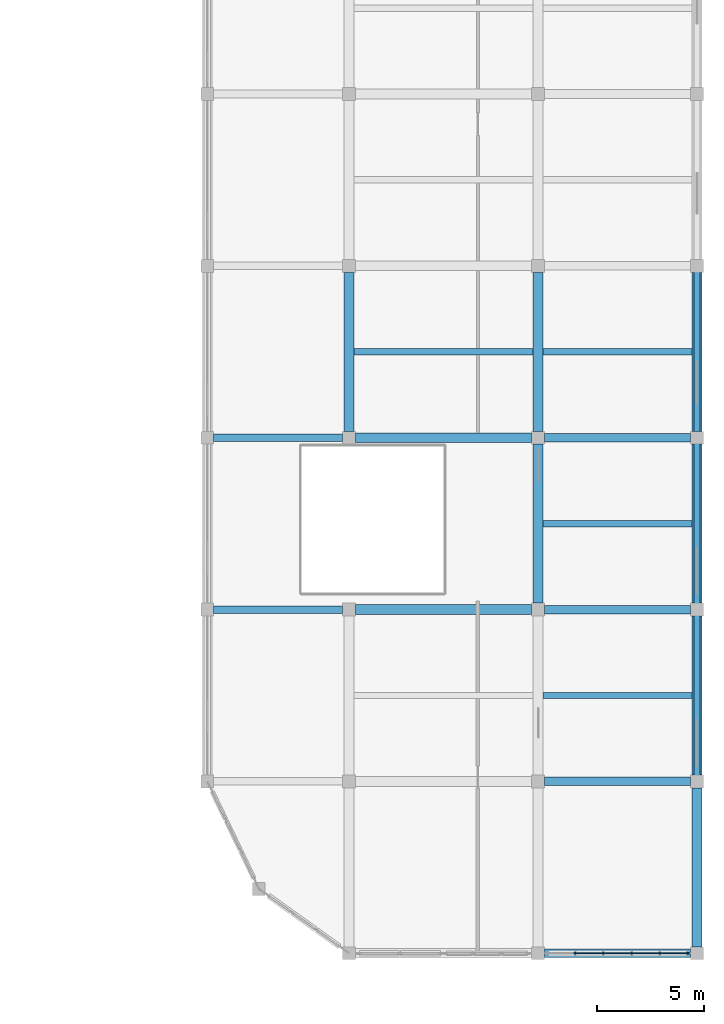
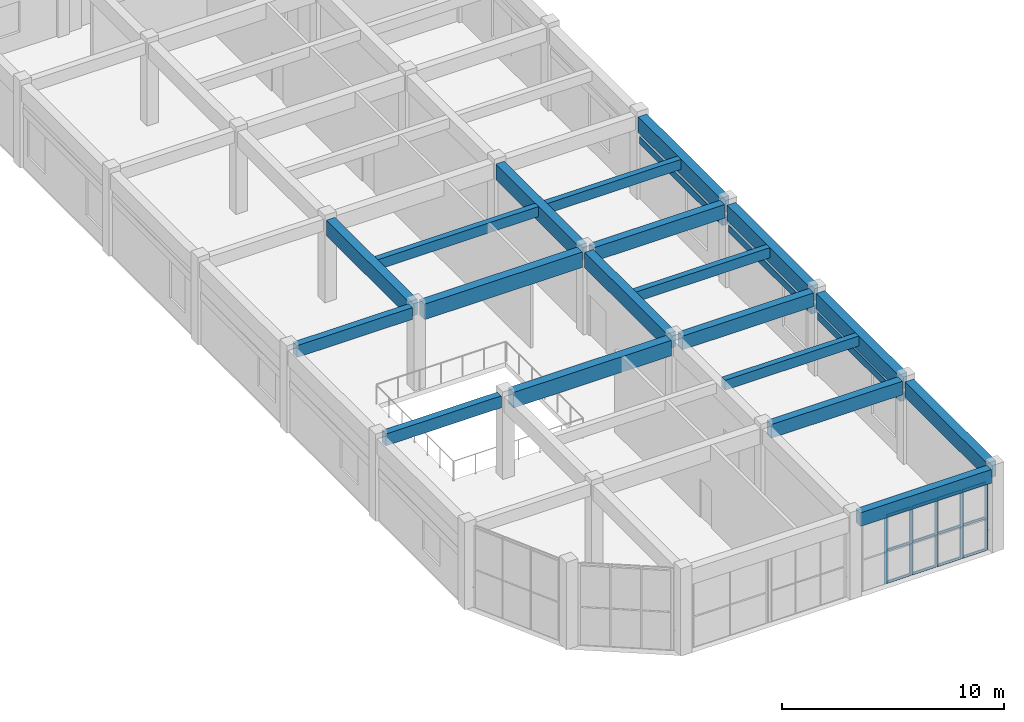
# One storey, part 22 of 64: 22 beams, 17 members, 1 element without a shape of its own.
"""IFC4 building model written with IfcOpenShell, lengths in metres."""

from ifc_helpers import new_model, si_unit, direction, frame, origin, origin_2d, place, context, subcontext, project, spatial, rectangle, extrude, material, layer, layer_set, material_profile, profile_set, type_object, element, aggregate, save


model = new_model("IFC4")

# Units and contexts
model_context = context("Model", 3, precision=1e-05, world=origin(), true_north=direction((0.0, 1.0)))
body_context = subcontext(model_context, "Body", "Model", "MODEL_VIEW")
ifc_project = project(units=[si_unit("LENGTHUNIT", "METRE"), si_unit("AREAUNIT", "SQUARE_METRE"), si_unit("VOLUMEUNIT", "CUBIC_METRE"), si_unit("PLANEANGLEUNIT", "RADIAN"), si_unit("MASSUNIT", "GRAM", prefix="KILO")], contexts=[model_context])

# Site, building, storey
site_placement = place(None, origin())
site = spatial("IfcSite", under=ifc_project, at=site_placement, CompositionType="ELEMENT")
building_placement = place(site_placement, origin())
building = spatial("IfcBuilding", under=site, at=building_placement, Name="Cinchona Park Media Centre", CompositionType="ELEMENT")
storey_placement = place(building_placement, frame((0.0, 0.0, 5.39990234375)))
storey = spatial("IfcBuildingStorey", under=building, at=storey_placement, Name="L01", CompositionType="ELEMENT", Elevation=5.39990234375)

# Beams
ifc_material_1 = material(Name="Concrete C35/45", Category="concrete")
ifc_material_profile_1 = material_profile(ifc_material_1, rectangle(XDim=0.39990234375, YDim=0.75, at=origin_2d()), Name="RB 400X750")
ifc_profile_set_1 = profile_set([ifc_material_profile_1], Name="Concrete C35/45")
beam_type_1 = type_object("IfcBeamType", Name="BEAM-B01-RB400X750", PredefinedType="BEAM", material=ifc_profile_set_1)
for number, where, z_axis, x_axis, name in (
    (1, (164.89990234375, 7.60009765625, 4.14501953125), (1.0, 0.0, 0.0), (0.0, 1.0, 0.0), "Beam B01 L01"),
    (2, (164.89990234375, 15.60009765625, 4.14501953125), (1.0, 0.0, 0.0), (0.0, 1.0, 0.0), "Beam B01 L01"),
    (3, (164.89990234375, 23.60009765625, 4.14501953125), (1.0, 0.0, 0.0), (0.0, 1.0, 0.0), "Beam B01 L01"),
    (4, (164.89990234375, 31.60009765625, 4.14501953125), (1.0, 0.0, 0.0), (0.0, 1.0, 0.0), "Beam B01 L01"),
):
    element("IfcBeam", number, at=place(storey_placement, frame(where, z_axis=z_axis, x_axis=x_axis)), inside=storey, type_object=beam_type_1, Name=name, PredefinedType="BEAM", context=body_context, shape_type="SweptSolid", body=[
        extrude(rectangle(XDim=0.39990234375, YDim=0.75, at=origin_2d()), origin(), (0.0, 0.0, 1.0), 6.800048828125),
    ])
ifc_material_2 = material(Name="Concrete C35/45", Category="concrete")
ifc_material_profile_2 = material_profile(ifc_material_2, rectangle(XDim=0.449951171875, YDim=0.85009765625, at=origin_2d()), Name="RB 450X850")
ifc_profile_set_2 = profile_set([ifc_material_profile_2], Name="Concrete C35/45")
beam_type_2 = type_object("IfcBeamType", Name="BEAM-B02-RB450X850", PredefinedType="BEAM", material=ifc_profile_set_2)
for number, where, z_axis, x_axis, name in (
    (5, (156.10009765625, 23.60009765625, 4.09521484375), (1.0, 0.0, 0.0), (0.0, 1.0, 0.0), "Beam B02 L01"),
    (6, (156.10009765625, 31.60009765625, 4.09521484375), (1.0, 0.0, 0.0), (0.0, 1.0, 0.0), "Beam B02 L01"),
):
    element("IfcBeam", number, at=place(storey_placement, frame(where, z_axis=z_axis, x_axis=x_axis)), inside=storey, type_object=beam_type_2, Name=name, PredefinedType="BEAM", context=body_context, shape_type="SweptSolid", body=[
        extrude(rectangle(XDim=0.449951171875, YDim=0.85009765625, at=origin_2d()), origin(), (0.0, 0.0, 1.0), 8.199951171875),
    ])
for number, where, z_axis, x_axis, name in (
    (7, (155.800048828125, 31.89990234375, 4.09521484375), (0.0, 1.0, 0.0), (-1.0, 0.0, 0.0), "Girder B02 L01"),
    (8, (164.60009765625, 23.89990234375, 4.09521484375), (0.0, 1.0, 0.0), (-1.0, 0.0, 0.0), "Girder B02 L01"),
    (9, (164.60009765625, 31.89990234375, 4.09521484375), (0.0, 1.0, 0.0), (-1.0, 0.0, 0.0), "Girder B02 L01"),
    (10, (172.0, 7.89990234375, 4.09521484375), (0.0, 1.0, 0.0), (-1.0, 0.0, 0.0), "Girder B02 L01"),
    (11, (172.0, 15.89990234375, 4.09521484375), (0.0, 1.0, 0.0), (-1.0, 0.0, 0.0), "Girder B02 L01"),
    (12, (172.0, 23.89990234375, 4.09521484375), (0.0, 1.0, 0.0), (-1.0, 0.0, 0.0), "Girder B02 L01"),
    (13, (172.0, 31.89990234375, 4.09521484375), (0.0, 1.0, 0.0), (-1.0, 0.0, 0.0), "Girder B02 L01"),
):
    element("IfcBeam", number, at=place(storey_placement, frame(where, z_axis=z_axis, x_axis=x_axis)), inside=storey, type_object=beam_type_2, Name=name, PredefinedType="BEAM", context=body_context, shape_type="SweptSolid", body=[
        extrude(rectangle(XDim=0.449951171875, YDim=0.85009765625, at=origin_2d()), origin(), (0.0, 0.0, 1.0), 7.400146484375),
    ])
ifc_material_3 = material(Name="Concrete C35/45", Category="concrete")
ifc_material_profile_3 = material_profile(ifc_material_3, rectangle(XDim=0.35009765625, YDim=0.64990234375, at=origin_2d()), Name="RB 350X650")
ifc_profile_set_3 = profile_set([ifc_material_profile_3], Name="Concrete C35/45")
beam_type_3 = type_object("IfcBeamType", Name="BEAM-B04-RB350X650", PredefinedType="BEAM", material=ifc_profile_set_3)
for number, where, z_axis, x_axis, name in (
    (14, (149.5, 23.60009765625, 4.195068359375), (1.0, 0.0, 0.0), (0.0, 1.0, 0.0), "Beam B04 L01"),
    (15, (149.5, 31.60009765625, 4.195068359375), (1.0, 0.0, 0.0), (0.0, 1.0, 0.0), "Beam B04 L01"),
):
    element("IfcBeam", number, at=place(storey_placement, frame(where, z_axis=z_axis, x_axis=x_axis)), inside=storey, type_object=beam_type_3, Name=name, PredefinedType="BEAM", context=body_context, shape_type="SweptSolid", body=[
        extrude(rectangle(XDim=0.35009765625, YDim=0.64990234375, at=origin_2d()), origin(), (0.0, 0.0, 1.0), 6.0),
    ])
ifc_material_4 = material(Name="Concrete C35/45", Category="concrete")
ifc_material_profile_4 = material_profile(ifc_material_4, rectangle(XDim=0.300048828125, YDim=0.550048828125, at=origin_2d()), Name="RB 300X550")
ifc_profile_set_4 = profile_set([ifc_material_profile_4], Name="Concrete C35/45")
beam_type_4 = type_object("IfcBeamType", Name="BEAM-J01-RB300X550", PredefinedType="JOIST", material=ifc_profile_set_4)
beam_placement = place(storey_placement, frame((156.02490234375, 35.60009765625, 4.2451171875), z_axis=(1.0, 0.0, 0.0), x_axis=(0.0, 1.0, 0.0)))
element("IfcBeam", 16, at=beam_placement, inside=storey, type_object=beam_type_4, Name="Floor Joist J01 L01", PredefinedType="JOIST", context=body_context, shape_type="SweptSolid", body=[
    extrude(rectangle(XDim=0.300048828125, YDim=0.550048828125, at=origin_2d()), origin(), (0.0, 0.0, 1.0), 8.35009765625),
])
for number, where, z_axis, x_axis, name in (
    (17, (164.824951171875, 19.60009765625, 4.2451171875), (1.0, 0.0, 0.0), (0.0, 1.0, 0.0), "Floor Joist J01 L01"),
    (18, (164.824951171875, 27.60009765625, 4.2451171875), (1.0, 0.0, 0.0), (0.0, 1.0, 0.0), "Floor Joist J01 L01"),
    (19, (164.824951171875, 35.60009765625, 4.2451171875), (1.0, 0.0, 0.0), (0.0, 1.0, 0.0), "Floor Joist J01 L01"),
):
    element("IfcBeam", number, at=place(storey_placement, frame(where, z_axis=z_axis, x_axis=x_axis)), inside=storey, type_object=beam_type_4, Name=name, PredefinedType="JOIST", context=body_context, shape_type="SweptSolid", body=[
        extrude(rectangle(XDim=0.300048828125, YDim=0.550048828125, at=origin_2d()), origin(), (0.0, 0.0, 1.0), 6.949951171875),
    ])
ifc_material_5 = material(Name="Concrete C35/45", Category="concrete")
ifc_material_profile_5 = material_profile(ifc_material_5, rectangle(XDim=0.300048828125, YDim=0.39990234375, at=origin_2d()), Name="RL 300X400")
ifc_profile_set_5 = profile_set([ifc_material_profile_5], Name="Concrete C35/45")
beam_type_5 = type_object("IfcBeamType", Name="BEAM-LN02-RL300X400", PredefinedType="LINTEL", material=ifc_profile_set_5)
for number, where, z_axis, x_axis, name in (
    (20, (172.0, 39.320068359375, 3.2001953125), (0.0, -1.0, 0.0), (1.0, 0.0, 0.0), "Window Lintel LN02"),
    (21, (172.0, 31.320068359375, 3.2001953125), (0.0, -1.0, 0.0), (1.0, 0.0, 0.0), "Window Lintel LN02"),
    (22, (172.0, 23.320068359375, 3.25), (0.0, -1.0, 0.0), (1.0, 0.0, 0.0), "Window Lintel LN02"),
):
    element("IfcBeam", number, at=place(storey_placement, frame(where, z_axis=z_axis, x_axis=x_axis)), inside=storey, type_object=beam_type_5, Name=name, PredefinedType="LINTEL", context=body_context, shape_type="SweptSolid", body=[
        extrude(rectangle(XDim=0.300048828125, YDim=0.39990234375, at=origin_2d()), origin(), (0.0, 0.0, 1.0), 7.440185546875),
    ])

# Curtain wall, members
ifc_material_6 = material(Name="Aluminium Curtain Wall Framing", Category="aluminium")
ifc_layer = layer(ifc_material_6, 0.179931640625)
ifc_layer_set = layer_set([ifc_layer], Name="Aluminium Curtain Wall Framing")
curtain_wall_type = type_object("IfcCurtainWallType", Name="CW-CW01", PredefinedType="USERDEFINED", material=ifc_layer_set)
curtain_wall_placement = place(storey_placement, origin())
curtain_wall = element("IfcCurtainWall", 23, at=curtain_wall_placement, inside=storey, type_object=curtain_wall_type, Name="Curtain Wall CW01 L01", ObjectType="UNITISED CURTAIN WALL", PredefinedType="USERDEFINED")
ifc_material_7 = material(Name="Anodised Aluminium Alloy 6063-T6", Category="aluminium")
ifc_material_profile_6 = material_profile(ifc_material_7, rectangle(XDim=0.06494140625, YDim=0.159912109375, at=origin_2d()), Name="MUL-65X160")
ifc_profile_set_6 = profile_set([ifc_material_profile_6], Name="Anodised Aluminium Alloy 6063-T6")
member_type_1 = type_object("IfcMemberType", Name="MULLION-MUL01", PredefinedType="MULLION", material=ifc_profile_set_6)
member_1_placement = place(storey_placement, frame((171.547607421875, 7.60009765625, 0.050048828125), z_axis=(0.0, 0.0, 1.0), x_axis=(0.0, -1.0, 0.0)))
member_1 = element("IfcMember", 24, at=member_1_placement, type_object=member_type_1, Name="CW01 mullion 1", PredefinedType="MULLION", context=body_context, shape_type="SweptSolid", body=[
    extrude(rectangle(XDim=0.06494140625, YDim=0.159912109375, at=origin_2d()), origin(), (0.0, 0.0, 1.0), 3.719970703125),
])
member_2_placement = place(storey_placement, frame((170.26806640625, 7.60009765625, 0.050048828125), z_axis=(0.0, 0.0, 1.0), x_axis=(0.0, -1.0, 0.0)))
member_2 = element("IfcMember", 25, at=member_2_placement, type_object=member_type_1, Name="CW01 mullion 2", PredefinedType="MULLION", context=body_context, shape_type="SweptSolid", body=[
    extrude(rectangle(XDim=0.06494140625, YDim=0.159912109375, at=origin_2d()), origin(), (0.0, 0.0, 1.0), 3.719970703125),
])
member_3_placement = place(storey_placement, frame((168.9560546875, 7.60009765625, 0.050048828125), z_axis=(0.0, 0.0, 1.0), x_axis=(0.0, -1.0, 0.0)))
member_3 = element("IfcMember", 26, at=member_3_placement, type_object=member_type_1, Name="CW01 mullion 3", PredefinedType="MULLION", context=body_context, shape_type="SweptSolid", body=[
    extrude(rectangle(XDim=0.06494140625, YDim=0.159912109375, at=origin_2d()), origin(), (0.0, 0.0, 1.0), 3.719970703125),
])
member_4_placement = place(storey_placement, frame((167.64404296875, 7.60009765625, 0.050048828125), z_axis=(0.0, 0.0, 1.0), x_axis=(0.0, -1.0, 0.0)))
member_4 = element("IfcMember", 27, at=member_4_placement, type_object=member_type_1, Name="CW01 mullion 4", PredefinedType="MULLION", context=body_context, shape_type="SweptSolid", body=[
    extrude(rectangle(XDim=0.06494140625, YDim=0.159912109375, at=origin_2d()), origin(), (0.0, 0.0, 1.0), 3.719970703125),
])
member_5_placement = place(storey_placement, frame((166.33203125, 7.60009765625, 0.050048828125), z_axis=(0.0, 0.0, 1.0), x_axis=(0.0, -1.0, 0.0)))
member_5 = element("IfcMember", 28, at=member_5_placement, type_object=member_type_1, Name="CW01 mullion 5", PredefinedType="MULLION", context=body_context, shape_type="SweptSolid", body=[
    extrude(rectangle(XDim=0.06494140625, YDim=0.159912109375, at=origin_2d()), origin(), (0.0, 0.0, 1.0), 3.719970703125),
])
ifc_material_8 = material(Name="Anodised Aluminium Alloy 6063-T6", Category="aluminium")
ifc_material_profile_7 = material_profile(ifc_material_8, rectangle(XDim=0.06494140625, YDim=0.1201171875, at=origin_2d()), Name="TRN-65X120")
ifc_profile_set_7 = profile_set([ifc_material_profile_7], Name="Anodised Aluminium Alloy 6063-T6")
member_type_2 = type_object("IfcMemberType", Name="TRANSOM-TRN01", PredefinedType="USERDEFINED", material=ifc_profile_set_7)
member_6_placement = place(storey_placement, frame((171.514892578125, 7.60009765625, 0.08251953125), z_axis=(-1.0, 0.0, 0.0), x_axis=(0.0, -1.0, 0.0)))
member_6 = element("IfcMember", 29, at=member_6_placement, type_object=member_type_2, Name="CW01 transom 1.1", ObjectType="TRANSOM", PredefinedType="USERDEFINED", context=body_context, shape_type="SweptSolid", body=[
    extrude(rectangle(XDim=0.06494140625, YDim=0.1201171875, at=origin_2d()), origin(), (0.0, 0.0, 1.0), 1.21435546875),
])
member_7_placement = place(storey_placement, frame((171.514892578125, 7.60009765625, 1.836181640625), z_axis=(-1.0, 0.0, 0.0), x_axis=(0.0, -1.0, 0.0)))
member_7 = element("IfcMember", 30, at=member_7_placement, type_object=member_type_2, Name="CW01 transom 1.2", ObjectType="TRANSOM", PredefinedType="USERDEFINED", context=body_context, shape_type="SweptSolid", body=[
    extrude(rectangle(XDim=0.06494140625, YDim=0.1201171875, at=origin_2d()), origin(), (0.0, 0.0, 1.0), 1.21435546875),
])
member_8_placement = place(storey_placement, frame((171.514892578125, 7.60009765625, 3.737548828125), z_axis=(-1.0, 0.0, 0.0), x_axis=(0.0, -1.0, 0.0)))
member_8 = element("IfcMember", 31, at=member_8_placement, type_object=member_type_2, Name="CW01 transom 1.3", ObjectType="TRANSOM", PredefinedType="USERDEFINED", context=body_context, shape_type="SweptSolid", body=[
    extrude(rectangle(XDim=0.06494140625, YDim=0.1201171875, at=origin_2d()), origin(), (0.0, 0.0, 1.0), 1.21435546875),
])
member_9_placement = place(storey_placement, frame((170.235595703125, 7.60009765625, 0.08251953125), z_axis=(-1.0, 0.0, 0.0), x_axis=(0.0, -1.0, 0.0)))
member_9 = element("IfcMember", 32, at=member_9_placement, type_object=member_type_2, Name="CW01 transom 2.1", ObjectType="TRANSOM", PredefinedType="USERDEFINED", context=body_context, shape_type="SweptSolid", body=[
    extrude(rectangle(XDim=0.06494140625, YDim=0.1201171875, at=origin_2d()), origin(), (0.0, 0.0, 1.0), 1.2470703125),
])
member_10_placement = place(storey_placement, frame((170.235595703125, 7.60009765625, 1.836181640625), z_axis=(-1.0, 0.0, 0.0), x_axis=(0.0, -1.0, 0.0)))
member_10 = element("IfcMember", 33, at=member_10_placement, type_object=member_type_2, Name="CW01 transom 2.2", ObjectType="TRANSOM", PredefinedType="USERDEFINED", context=body_context, shape_type="SweptSolid", body=[
    extrude(rectangle(XDim=0.06494140625, YDim=0.1201171875, at=origin_2d()), origin(), (0.0, 0.0, 1.0), 1.2470703125),
])
member_11_placement = place(storey_placement, frame((170.235595703125, 7.60009765625, 3.737548828125), z_axis=(-1.0, 0.0, 0.0), x_axis=(0.0, -1.0, 0.0)))
member_11 = element("IfcMember", 34, at=member_11_placement, type_object=member_type_2, Name="CW01 transom 2.3", ObjectType="TRANSOM", PredefinedType="USERDEFINED", context=body_context, shape_type="SweptSolid", body=[
    extrude(rectangle(XDim=0.06494140625, YDim=0.1201171875, at=origin_2d()), origin(), (0.0, 0.0, 1.0), 1.2470703125),
])
member_12_placement = place(storey_placement, frame((168.923583984375, 7.60009765625, 0.08251953125), z_axis=(-1.0, 0.0, 0.0), x_axis=(0.0, -1.0, 0.0)))
member_12 = element("IfcMember", 35, at=member_12_placement, type_object=member_type_2, Name="CW01 transom 3.1", ObjectType="TRANSOM", PredefinedType="USERDEFINED", context=body_context, shape_type="SweptSolid", body=[
    extrude(rectangle(XDim=0.06494140625, YDim=0.1201171875, at=origin_2d()), origin(), (0.0, 0.0, 1.0), 1.2470703125),
])
member_13_placement = place(storey_placement, frame((168.923583984375, 7.60009765625, 1.836181640625), z_axis=(-1.0, 0.0, 0.0), x_axis=(0.0, -1.0, 0.0)))
member_13 = element("IfcMember", 36, at=member_13_placement, type_object=member_type_2, Name="CW01 transom 3.2", ObjectType="TRANSOM", PredefinedType="USERDEFINED", context=body_context, shape_type="SweptSolid", body=[
    extrude(rectangle(XDim=0.06494140625, YDim=0.1201171875, at=origin_2d()), origin(), (0.0, 0.0, 1.0), 1.2470703125),
])
member_14_placement = place(storey_placement, frame((168.923583984375, 7.60009765625, 3.737548828125), z_axis=(-1.0, 0.0, 0.0), x_axis=(0.0, -1.0, 0.0)))
member_14 = element("IfcMember", 37, at=member_14_placement, type_object=member_type_2, Name="CW01 transom 3.3", ObjectType="TRANSOM", PredefinedType="USERDEFINED", context=body_context, shape_type="SweptSolid", body=[
    extrude(rectangle(XDim=0.06494140625, YDim=0.1201171875, at=origin_2d()), origin(), (0.0, 0.0, 1.0), 1.2470703125),
])
member_15_placement = place(storey_placement, frame((167.611572265625, 7.60009765625, 0.08251953125), z_axis=(-1.0, 0.0, 0.0), x_axis=(0.0, -1.0, 0.0)))
member_15 = element("IfcMember", 38, at=member_15_placement, type_object=member_type_2, Name="CW01 transom 4.1", ObjectType="TRANSOM", PredefinedType="USERDEFINED", context=body_context, shape_type="SweptSolid", body=[
    extrude(rectangle(XDim=0.06494140625, YDim=0.1201171875, at=origin_2d()), origin(), (0.0, 0.0, 1.0), 1.2470703125),
])
member_16_placement = place(storey_placement, frame((167.611572265625, 7.60009765625, 1.836181640625), z_axis=(-1.0, 0.0, 0.0), x_axis=(0.0, -1.0, 0.0)))
member_16 = element("IfcMember", 39, at=member_16_placement, type_object=member_type_2, Name="CW01 transom 4.2", ObjectType="TRANSOM", PredefinedType="USERDEFINED", context=body_context, shape_type="SweptSolid", body=[
    extrude(rectangle(XDim=0.06494140625, YDim=0.1201171875, at=origin_2d()), origin(), (0.0, 0.0, 1.0), 1.2470703125),
])
member_17_placement = place(storey_placement, frame((167.611572265625, 7.60009765625, 3.737548828125), z_axis=(-1.0, 0.0, 0.0), x_axis=(0.0, -1.0, 0.0)))
member_17 = element("IfcMember", 40, at=member_17_placement, type_object=member_type_2, Name="CW01 transom 4.3", ObjectType="TRANSOM", PredefinedType="USERDEFINED", context=body_context, shape_type="SweptSolid", body=[
    extrude(rectangle(XDim=0.06494140625, YDim=0.1201171875, at=origin_2d()), origin(), (0.0, 0.0, 1.0), 1.2470703125),
])
aggregate(curtain_wall, [member_1, member_2, member_3, member_4, member_5, member_6, member_7, member_8, member_9, member_10, member_11, member_12, member_13, member_14, member_15, member_16, member_17])

save(model, "model.ifc")
